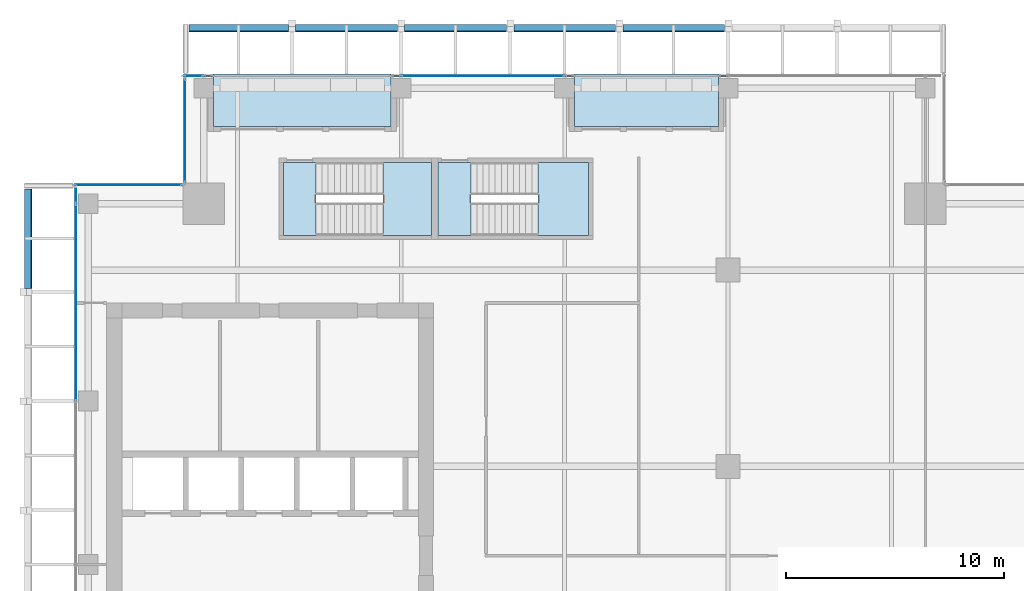
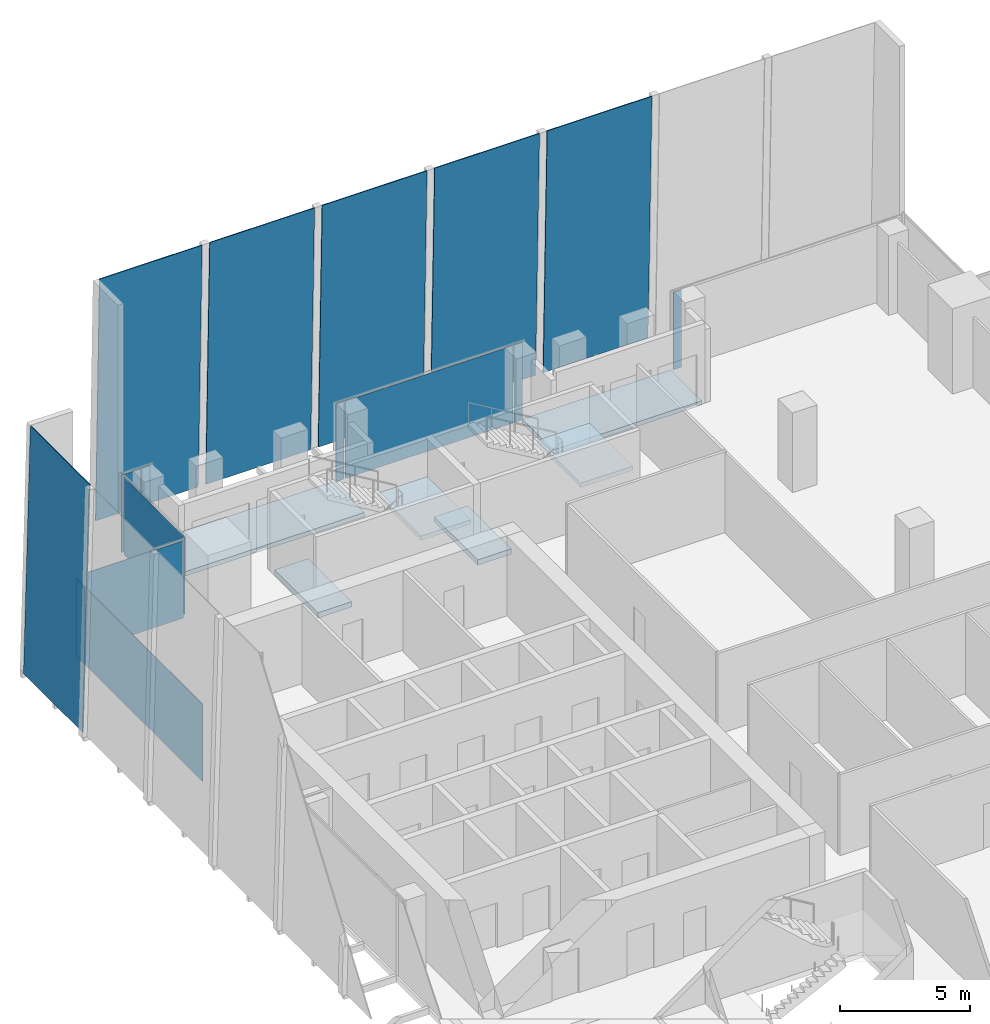
# One storey, part 24 of 33: 16 plates, 6 slabs, 8 elements without a shape of their own.
"""IFC4 building model written with IfcOpenShell, lengths in metres."""

from ifc_helpers import new_model, si_unit, direction, frame, origin, origin_2d, place, context, subcontext, project, spatial, polyline, rectangle, outline, extrude, source, transform, mapped, material, layer, layer_set, type_object, element, aggregate, save


model = new_model("IFC4")

# Units and contexts
model_context = context("Model", 3, precision=1e-05, world=origin(), true_north=direction((0.0, 1.0)))
body_context = subcontext(model_context, "Body", "Model", "MODEL_VIEW")
ifc_project = project(units=[si_unit("LENGTHUNIT", "METRE"), si_unit("AREAUNIT", "SQUARE_METRE"), si_unit("VOLUMEUNIT", "CUBIC_METRE"), si_unit("PLANEANGLEUNIT", "RADIAN"), si_unit("MASSUNIT", "GRAM", prefix="KILO")], contexts=[model_context])

# Site, building, storey
site_placement = place(None, origin())
site = spatial("IfcSite", under=ifc_project, at=site_placement, CompositionType="ELEMENT")
building_placement = place(site_placement, origin())
building = spatial("IfcBuilding", under=site, at=building_placement, Name="Khomas Fold Tower", CompositionType="ELEMENT")
storey_placement = place(building_placement, frame((0.0, 0.0, 234.199951171875)))
storey = spatial("IfcBuildingStorey", under=building, at=storey_placement, Name="L52", CompositionType="ELEMENT", Elevation=234.199951171875)

# Plates
ifc_material_1 = material(Name="Clear laminated glass", Category="glass")
ifc_layer_1 = layer(ifc_material_1, 0.0400390625)
ifc_layer_set_1 = layer_set([ifc_layer_1], Name="Clear laminated glass")
plate_type_1 = type_object("IfcPlateType", Name="SK-Clear laminated glass leaf", PredefinedType="SHEET", material=ifc_layer_set_1)
plate_1_placement = place(storey_placement, frame((9.77001953125, 51.76513671875, 0.0009765625), z_axis=(0.0, 0.999657230839, 0.026180543005), x_axis=(1.0, 0.0, 0.0)))
element("IfcPlate", 1, at=plate_1_placement, inside=storey, type_object=plate_type_1, Name="OUTER SKIN glass L52 N1", PredefinedType="SHEET", context=body_context, shape_type="SweptSolid", body=[
    extrude(outline(polyline([(0.0, 0.0), (4.56005859375, 0.0), (4.56005859375, -11.554009186164079), (0.0, -11.554009186164079), (0.0, 0.0)])), origin(), (0.0, 0.0, -1.0), 0.0400390625),
])
for number, where, z_axis, x_axis, name in (
    (2, (14.669921875, 51.76513671875, 0.0009765625), (0.0, 0.999657230839, 0.026180543005), (1.0, 0.0, 0.0), "OUTER SKIN glass L52 N3"),
    (3, (19.669921875, 51.76513671875, 0.0009765625), (0.0, 0.999657230839, 0.026180543005), (1.0, 0.0, 0.0), "OUTER SKIN glass L52 N5"),
    (4, (24.669921875, 51.76513671875, 0.0009765625), (0.0, 0.999657230839, 0.026180543005), (1.0, 0.0, 0.0), "OUTER SKIN glass L52 N7"),
    (5, (29.669921875, 51.76513671875, 0.0009765625), (0.0, 0.999657230839, 0.026180543005), (1.0, 0.0, 0.0), "OUTER SKIN glass L52 N9"),
):
    element("IfcPlate", number, at=place(storey_placement, frame(where, z_axis=z_axis, x_axis=x_axis)), inside=storey, type_object=plate_type_1, Name=name, PredefinedType="SHEET", context=body_context, shape_type="SweptSolid", body=[
        extrude(outline(polyline([(0.0, 0.0), (4.66015625, 0.0), (4.66015625, -11.554009186164079), (0.0, -11.554009186164079), (0.0, 0.0)])), origin(), (0.0, 0.0, -1.0), 0.0400390625),
    ])
plate_2_placement = place(storey_placement, frame((2.23486328125, 39.669921875, 0.0009765625), z_axis=(-0.999657230839, 0.0, 0.026180543005), x_axis=(0.0, 1.0, 0.0)))
element("IfcPlate", 6, at=plate_2_placement, inside=storey, type_object=plate_type_1, Name="OUTER SKIN glass L52 W13", PredefinedType="SHEET", context=body_context, shape_type="SweptSolid", body=[
    extrude(outline(polyline([(0.0, 0.0), (4.56005859375, 0.0), (4.56005859375, -11.554009186164079), (0.0, -11.554009186164079), (0.0, 0.0)])), origin(), (0.0, 0.0, -1.0), 0.0400390625),
])

# Curtain wall, plate
ifc_material_2 = material(Name="Aluminium framed double glazing", Category="aluminium")
curtain_wall_type = type_object("IfcCurtainWallType", Name="SK-Unitised clear-glass wall, office floors CW2", PredefinedType="NOTDEFINED", material=ifc_material_2)
curtain_wall_1_placement = place(storey_placement, origin())
curtain_wall_1 = element("IfcCurtainWall", 7, at=curtain_wall_1_placement, inside=storey, type_object=curtain_wall_type, Name="CW2 run L52 09-0", PredefinedType="NOTDEFINED")
ifc_material_3 = material(Name="Clear double glazed unit")
ifc_layer_2 = layer(ifc_material_3, 0.030029296875)
ifc_layer_set_2 = layer_set([ifc_layer_2], Name="Clear double glazed unit")
plate_type_2 = type_object("IfcPlateType", Name="SK-Unitised clear-glass wall, office floors glass panel CW2-P", PredefinedType="CURTAIN_PANEL", material=ifc_layer_set_2)
shared_shape_1 = source(origin(), body_context, "Body", "SweptSolid", [
    extrude(rectangle(XDim=0.659912109375, YDim=0.030029296875, at=origin_2d()), origin(), (0.0, 0.0, 1.0), 3.639892578125),
])
plate_3_placement = place(storey_placement, frame((4.60009765625, 43.909912109375, 0.0), z_axis=(0.0, 0.0, 1.0), x_axis=(0.0, -1.0, 0.0)))
plate_3 = element("IfcPlate", 8, at=plate_3_placement, type_object=plate_type_2, Name="CW2 glass panel 1", PredefinedType="CURTAIN_PANEL", context=body_context, shape_type="MappedRepresentation", body=[
    mapped(shared_shape_1, transform((0.0, 0.0, 0.0))),
])

curtain_wall_2_placement = place(storey_placement, origin())
curtain_wall_2 = element("IfcCurtainWall", 9, at=curtain_wall_2_placement, inside=storey, type_object=curtain_wall_type, Name="CW2 run L52 06-1", PredefinedType="NOTDEFINED")
shared_shape_2 = source(origin(), body_context, "Body", "SweptSolid", [
    extrude(rectangle(XDim=7.43994140625, YDim=0.030029296875, at=origin_2d()), origin(), (0.0, 0.0, 1.0), 3.639892578125),
])
plate_4_placement = place(storey_placement, frame((23.25, 49.39990234375, 0.0), z_axis=(0.0, 0.0, 1.0), x_axis=(-1.0, 0.0, 0.0)))
plate_4 = element("IfcPlate", 10, at=plate_4_placement, type_object=plate_type_2, Name="CW2 glass panel 2", PredefinedType="CURTAIN_PANEL", context=body_context, shape_type="MappedRepresentation", body=[
    mapped(shared_shape_2, transform((0.0, 0.0, 0.0))),
])

curtain_wall_3_placement = place(storey_placement, origin())
curtain_wall_3 = element("IfcCurtainWall", 11, at=curtain_wall_3_placement, inside=storey, type_object=curtain_wall_type, Name="CW2 run L52 06-2", PredefinedType="NOTDEFINED")
shared_shape_3 = source(origin(), body_context, "Body", "SweptSolid", [
    extrude(rectangle(XDim=0.860107421875, YDim=0.030029296875, at=origin_2d()), origin(), (0.0, 0.0, 1.0), 3.639892578125),
])
plate_5_placement = place(storey_placement, frame((9.989990234375, 49.39990234375, 0.0), z_axis=(0.0, 0.0, 1.0), x_axis=(-1.0, 0.0, 0.0)))
plate_5 = element("IfcPlate", 12, at=plate_5_placement, type_object=plate_type_2, Name="CW2 glass panel 2", PredefinedType="CURTAIN_PANEL", context=body_context, shape_type="MappedRepresentation", body=[
    mapped(shared_shape_3, transform((0.0, 0.0, 0.0))),
])

# Plate
shared_shape_4 = source(origin(), body_context, "Body", "SweptSolid", [
    extrude(rectangle(XDim=8.989990234375, YDim=0.030029296875, at=origin_2d()), origin(), (0.0, 0.0, 1.0), 3.639892578125),
])
plate_6_placement = place(storey_placement, frame((4.60009765625, 39.02490234375, 0.0), z_axis=(0.0, 0.0, 1.0), x_axis=(0.0, -1.0, 0.0)))
plate_6 = element("IfcPlate", 13, at=plate_6_placement, type_object=plate_type_2, Name="CW2 glass panel 2", PredefinedType="CURTAIN_PANEL", context=body_context, shape_type="MappedRepresentation", body=[
    mapped(shared_shape_4, transform((0.0, 0.0, 0.0))),
])

aggregate(curtain_wall_1, [plate_3, plate_6])

# Curtain wall, plate
curtain_wall_4_placement = place(storey_placement, origin())
curtain_wall_4 = element("IfcCurtainWall", 14, at=curtain_wall_4_placement, inside=storey, type_object=curtain_wall_type, Name="CW2 corner return L52 07", PredefinedType="NOTDEFINED")
shared_shape_5 = source(origin(), body_context, "Body", "SweptSolid", [
    extrude(rectangle(XDim=4.679931640625, YDim=0.030029296875, at=origin_2d()), origin(), (0.0, 0.0, 1.0), 3.639892578125),
])
plate_7_placement = place(storey_placement, frame((9.60009765625, 46.89990234375, 0.0), z_axis=(0.0, 0.0, 1.0), x_axis=(0.0, -1.0, 0.0)))
plate_7 = element("IfcPlate", 15, at=plate_7_placement, type_object=plate_type_2, Name="CW2 glass panel 1", PredefinedType="CURTAIN_PANEL", context=body_context, shape_type="MappedRepresentation", body=[
    mapped(shared_shape_5, transform((0.0, 0.0, 0.0))),
])
aggregate(curtain_wall_4, [plate_7])

curtain_wall_5_placement = place(storey_placement, origin())
curtain_wall_5 = element("IfcCurtainWall", 16, at=curtain_wall_5_placement, inside=storey, type_object=curtain_wall_type, Name="CW2 corner return L52 08", PredefinedType="NOTDEFINED")
shared_shape_6 = source(origin(), body_context, "Body", "SweptSolid", [
    extrude(rectangle(XDim=4.8798828125, YDim=0.030029296875, at=origin_2d()), origin(), (0.0, 0.0, 1.0), 3.639892578125),
])
plate_8_placement = place(storey_placement, frame((7.0, 44.39990234375, 0.0), z_axis=(0.0, 0.0, 1.0), x_axis=(-1.0, 0.0, 0.0)))
plate_8 = element("IfcPlate", 17, at=plate_8_placement, type_object=plate_type_2, Name="CW2 glass panel 1", PredefinedType="CURTAIN_PANEL", context=body_context, shape_type="MappedRepresentation", body=[
    mapped(shared_shape_6, transform((0.0, 0.0, 0.0))),
])
aggregate(curtain_wall_5, [plate_8])

curtain_wall_6_placement = place(storey_placement, origin())
curtain_wall_6 = element("IfcCurtainWall", 18, at=curtain_wall_6_placement, inside=storey, type_object=curtain_wall_type, Name="CW2 run L52 06-0", PredefinedType="NOTDEFINED")
shared_shape_7 = source(origin(), body_context, "Body", "SweptSolid", [
    extrude(rectangle(XDim=0.360107421875, YDim=0.030029296875, at=origin_2d()), origin(), (0.0, 0.0, 1.0), 3.639892578125),
])
plate_9_placement = place(storey_placement, frame((34.2900390625, 49.39990234375, 0.0), z_axis=(0.0, 0.0, 1.0), x_axis=(-1.0, 0.0, 0.0)))
plate_9 = element("IfcPlate", 19, at=plate_9_placement, type_object=plate_type_2, Name="CW2 glass panel 3", PredefinedType="CURTAIN_PANEL", context=body_context, shape_type="MappedRepresentation", body=[
    mapped(shared_shape_7, transform((0.0, 0.0, 0.0))),
])
aggregate(curtain_wall_6, [plate_9])

# Plate
plate_10_placement = place(storey_placement, frame((27.2099609375, 49.39990234375, 0.0), z_axis=(0.0, 0.0, 1.0), x_axis=(-1.0, 0.0, 0.0)))
plate_10 = element("IfcPlate", 20, at=plate_10_placement, type_object=plate_type_2, Name="CW2 glass panel 1", PredefinedType="CURTAIN_PANEL", context=body_context, shape_type="MappedRepresentation", body=[
    mapped(shared_shape_7, transform((0.0, 0.0, 0.0))),
])

plate_11_placement = place(storey_placement, frame((19.2900390625, 49.39990234375, 0.0), z_axis=(0.0, 0.0, 1.0), x_axis=(-1.0, 0.0, 0.0)))
plate_11 = element("IfcPlate", 21, at=plate_11_placement, type_object=plate_type_2, Name="CW2 glass panel 3", PredefinedType="CURTAIN_PANEL", context=body_context, shape_type="MappedRepresentation", body=[
    mapped(shared_shape_7, transform((0.0, 0.0, 0.0))),
])

aggregate(curtain_wall_2, [plate_10, plate_4, plate_11])

plate_12_placement = place(storey_placement, frame((10.659912109375, 49.39990234375, 0.0), z_axis=(0.0, 0.0, 1.0), x_axis=(-1.0, 0.0, 0.0)))
plate_12 = element("IfcPlate", 22, at=plate_12_placement, type_object=plate_type_2, Name="CW2 glass panel 1", PredefinedType="CURTAIN_PANEL", context=body_context, shape_type="MappedRepresentation", body=[
    mapped(shared_shape_7, transform((0.0, 0.0, 0.0))),
])

aggregate(curtain_wall_3, [plate_12, plate_5])

# Slabs
ifc_material_4 = material(Name="Concrete C40/50", Category="concrete")
ifc_layer_3 = layer(ifc_material_4, 0.205078125)
ifc_layer_set_3 = layer_set([ifc_layer_3], Name="Concrete C40/50")
slab_type_1 = type_object("IfcSlabType", Name="BL-Balcony deck 205", PredefinedType="FLOOR", material=ifc_layer_set_3)
shared_shape_8 = source(origin(), body_context, "Body", "SweptSolid", [
    extrude(outline(polyline([(10.89990234375, 47.10009765625), (19.050048828125, 47.10009765625), (19.050048828125, 49.5), (10.89990234375, 49.5), (10.89990234375, 47.10009765625)])), origin(), (0.0, 0.0, 1.0), 0.205078125),
])
slab_1_placement = place(storey_placement, frame((0.0, 0.0, -0.25)))
element("IfcSlab", 23, at=slab_1_placement, inside=storey, type_object=slab_type_1, Name="Balcony deck BAL-L52-N1", PredefinedType="FLOOR", context=body_context, shape_type="MappedRepresentation", body=[
    mapped(shared_shape_8, transform((0.0, 0.0, 0.0))),
])
shared_shape_9 = source(origin(), body_context, "Body", "SweptSolid", [
    extrude(outline(polyline([(27.449951171875, 47.10009765625), (34.050048828125, 47.10009765625), (34.050048828125, 49.5), (27.449951171875, 49.5), (27.449951171875, 47.10009765625)])), origin(), (0.0, 0.0, 1.0), 0.205078125),
])
slab_2_placement = place(storey_placement, frame((0.0, 0.0, -0.25)))
element("IfcSlab", 24, at=slab_2_placement, inside=storey, type_object=slab_type_1, Name="Balcony deck BAL-L52-N3", PredefinedType="FLOOR", context=body_context, shape_type="MappedRepresentation", body=[
    mapped(shared_shape_9, transform((0.0, 0.0, 0.0))),
])

# Stair, slab
ifc_material_5 = material(Name="Concrete C40/50", Category="concrete")
stair_type_1 = type_object("IfcStairType", Name="Stair ST1", PredefinedType="HALF_TURN_STAIR", material=ifc_material_5)
stair_1_placement = place(storey_placement, origin())
stair_1 = element("IfcStair", 25, at=stair_1_placement, inside=storey, type_object=stair_type_1, Name="L52 ST1", PredefinedType="HALF_TURN_STAIR")
ifc_material_6 = material(Name="Concrete C40/50", Category="concrete")
ifc_layer_4 = layer(ifc_material_6, 0.199951171875)
ifc_layer_set_4 = layer_set([ifc_layer_4], Name="Concrete C40/50")
slab_type_2 = type_object("IfcSlabType", Name="Stair landing 200", PredefinedType="LANDING", material=ifc_layer_set_4)
shared_shape_10 = source(origin(), body_context, "Body", "SweptSolid", [
    extrude(outline(polyline([(18.679931640625, 42.10009765625), (20.89990234375, 42.10009765625), (20.89990234375, 45.449951171875), (18.679931640625, 45.449951171875), (18.679931640625, 42.10009765625)])), origin(), (0.0, 0.0, 1.0), 0.199951171875),
])
slab_3_placement = place(storey_placement, frame((0.0, 0.0, 1.800048828125)))
slab_3 = element("IfcSlab", 26, at=slab_3_placement, type_object=slab_type_2, Name="ST1 landing 1", PredefinedType="LANDING", context=body_context, shape_type="MappedRepresentation", body=[
    mapped(shared_shape_10, transform((0.0, 0.0, 0.0))),
])
aggregate(stair_1, [slab_3])

# Slab
ifc_material_7 = material(Name="Concrete C40/50", Category="concrete")
ifc_layer_5 = layer(ifc_material_7, 0.25)
ifc_layer_set_5 = layer_set([ifc_layer_5], Name="Concrete C40/50")
slab_type_3 = type_object("IfcSlabType", Name="Stair floor landing 250", PredefinedType="LANDING", material=ifc_layer_set_5)
shared_shape_11 = source(origin(), body_context, "Body", "SweptSolid", [
    extrude(outline(polyline([(15.60009765625, 42.10009765625), (14.10009765625, 42.10009765625), (14.10009765625, 45.449951171875), (15.60009765625, 45.449951171875), (15.60009765625, 42.10009765625)])), origin(), (0.0, 0.0, 1.0), 0.25),
])
slab_4_placement = place(storey_placement, frame((0.0, 0.0, -0.25)))
element("IfcSlab", 27, at=slab_4_placement, inside=storey, type_object=slab_type_3, Name="ST1 floor landing", PredefinedType="LANDING", context=body_context, shape_type="MappedRepresentation", body=[
    mapped(shared_shape_11, transform((0.0, 0.0, 0.0))),
])

# Stair, slab
ifc_material_8 = material(Name="Concrete C40/50", Category="concrete")
stair_type_2 = type_object("IfcStairType", Name="Stair ST3", PredefinedType="HALF_TURN_STAIR", material=ifc_material_8)
stair_2_placement = place(storey_placement, origin())
stair_2 = element("IfcStair", 28, at=stair_2_placement, inside=storey, type_object=stair_type_2, Name="L52 ST3", PredefinedType="HALF_TURN_STAIR")
shared_shape_12 = source(origin(), body_context, "Body", "SweptSolid", [
    extrude(outline(polyline([(25.780029296875, 42.10009765625), (28.10009765625, 42.10009765625), (28.10009765625, 45.449951171875), (25.780029296875, 45.449951171875), (25.780029296875, 42.10009765625)])), origin(), (0.0, 0.0, 1.0), 0.199951171875),
])
slab_5_placement = place(storey_placement, frame((0.0, 0.0, 1.800048828125)))
slab_5 = element("IfcSlab", 29, at=slab_5_placement, type_object=slab_type_2, Name="ST3 landing 1", PredefinedType="LANDING", context=body_context, shape_type="MappedRepresentation", body=[
    mapped(shared_shape_12, transform((0.0, 0.0, 0.0))),
])
aggregate(stair_2, [slab_5])

# Slab
shared_shape_13 = source(origin(), body_context, "Body", "SweptSolid", [
    extrude(outline(polyline([(22.699951171875, 42.10009765625), (21.199951171875, 42.10009765625), (21.199951171875, 45.449951171875), (22.699951171875, 45.449951171875), (22.699951171875, 42.10009765625)])), origin(), (0.0, 0.0, 1.0), 0.25),
])
slab_6_placement = place(storey_placement, frame((0.0, 0.0, -0.25)))
element("IfcSlab", 30, at=slab_6_placement, inside=storey, type_object=slab_type_3, Name="ST3 floor landing", PredefinedType="LANDING", context=body_context, shape_type="MappedRepresentation", body=[
    mapped(shared_shape_13, transform((0.0, 0.0, 0.0))),
])

save(model, "model.ifc")
